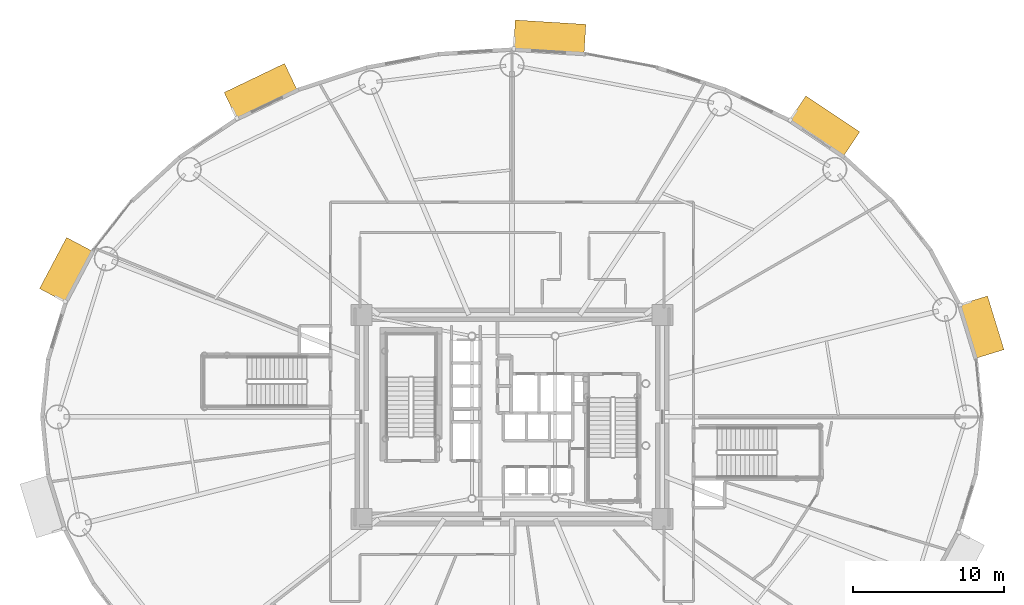
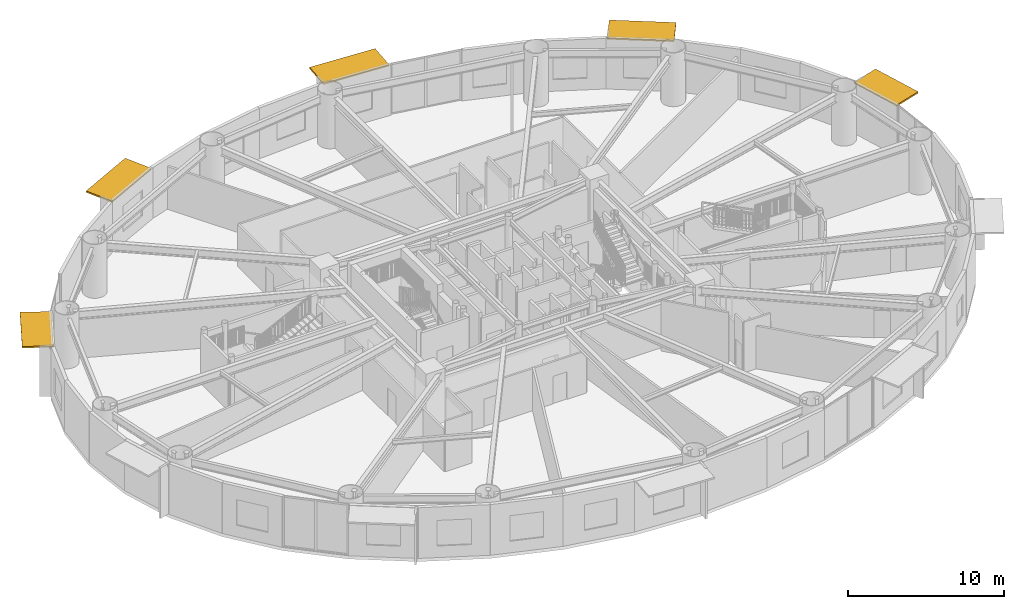
# One storey, part 29 of 29: 5 shading devices.
"""IFC4 building model written with IfcOpenShell, lengths in metres."""

import ifcopenshell
import ifcopenshell.guid

model = None  # the IFC model being written
_history = None  # IfcOwnerHistory: only IFC2X3 demands one
_inside = {}  # id of a spatial element -> (the spatial element, [elements in it])
_under = {}  # id of a project, library or spatial element -> (it, [spatial elements below it])
_declared = {}  # id of a project -> (the project, [libraries it declares])
_typed = {}  # id of a type object -> (the type object, [elements of that type])
_made_of = {}  # id of a material, layer set ... -> (it, [elements and type objects made of it])


def new_model(schema):
    """Start an empty IFC model of exactly this schema.

    Asked for "IFC4X3", IfcOpenShell would pick the latest addendum, in which some entities
    have other attributes; the version numbers below select the first issue.
    IFC2X3 requires an IfcOwnerHistory on every rooted entity: one is made here for all.
    """
    global model, _history
    if schema == "IFC4X3":
        model = ifcopenshell.file(schema_version=(4, 3, 0, 0))
    else:
        model = ifcopenshell.file(schema=schema)
    _inside.clear()
    _under.clear()
    _declared.clear()
    _typed.clear()
    _made_of.clear()
    _history = None
    if model.schema == "IFC2X3":
        org = make("IfcOrganization", Name="unknown")
        user = make(
            "IfcPersonAndOrganization",
            ThePerson=make("IfcPerson", FamilyName="unknown"),
            TheOrganization=org,
        )
        app = make(
            "IfcApplication",
            ApplicationDeveloper=org,
            Version="unknown",
            ApplicationFullName="unknown",
            ApplicationIdentifier="unknown",
        )
        _history = make(
            "IfcOwnerHistory",
            OwningUser=user,
            OwningApplication=app,
            ChangeAction="ADDED",
            CreationDate=0,
        )
    return model


def make(cls, **values):
    """One entity of the class cls with the attributes given. An attribute that is None is left unset."""
    return model.create_entity(
        cls, **{name: value for name, value in values.items() if value is not None}
    )


def rooted(cls, **values):
    """An entity with a GlobalId (a new one), such as an element, a storey or a relation."""
    return make(cls, GlobalId=ifcopenshell.guid.new(), OwnerHistory=_history, **values)


def si_unit(unit_type, name, prefix=None):
    """IfcSIUnit, for example si_unit("LENGTHUNIT", "METRE", prefix="MILLI")."""
    return make("IfcSIUnit", UnitType=unit_type, Prefix=prefix, Name=name)


def assignment(units):
    """IfcUnitAssignment: the units of a project."""
    return None if units is None else make("IfcUnitAssignment", Units=units)


def point(xyz):
    """IfcCartesianPoint."""
    return None if xyz is None else make("IfcCartesianPoint", Coordinates=xyz)


def direction(xyz):
    """IfcDirection."""
    return None if xyz is None else make("IfcDirection", DirectionRatios=xyz)


def frame(location, z_axis=None, x_axis=None):
    """IfcAxis2Placement3D, a coordinate frame: its origin and axes. An axis left out is left unset."""
    return make(
        "IfcAxis2Placement3D",
        Location=point(location),
        Axis=direction(z_axis),
        RefDirection=direction(x_axis),
    )


def frame_2d(location, x_axis=None):
    """IfcAxis2Placement2D, a coordinate frame in the plane: its origin and x axis."""
    return make(
        "IfcAxis2Placement2D", Location=point(location), RefDirection=direction(x_axis)
    )


def origin():
    """The frame at (0, 0, 0) with its axes left unset."""
    return frame((0.0, 0.0, 0.0))


def origin_2d():
    """The frame at (0, 0) in the plane with its x axis left unset."""
    return frame_2d((0.0, 0.0))


def place(relative_to, where):
    """IfcLocalPlacement: puts the frame where relative to a parent placement (None: the world)."""
    return make(
        "IfcLocalPlacement", PlacementRelTo=relative_to, RelativePlacement=where
    )


def context(
    kind, dimensions, precision=None, world=None, true_north=None, identifier=None
):
    """IfcGeometricRepresentationContext, for example the 3D "Model" context."""
    return make(
        "IfcGeometricRepresentationContext",
        ContextIdentifier=identifier,
        ContextType=kind,
        CoordinateSpaceDimension=dimensions,
        Precision=precision,
        WorldCoordinateSystem=world,
        TrueNorth=true_north,
    )


def subcontext(parent, identifier, kind, view, scale=None):
    """IfcGeometricRepresentationSubContext, for example "Body" below "Model"."""
    return make(
        "IfcGeometricRepresentationSubContext",
        ContextIdentifier=identifier,
        ContextType=kind,
        ParentContext=parent,
        TargetScale=scale,
        TargetView=view,
    )


def project(units=None, contexts=None):
    """IfcProject with its units and contexts."""
    return rooted(
        "IfcProject",
        Name="project",
        RepresentationContexts=contexts,
        UnitsInContext=assignment(units),
    )


def spatial(cls, under=None, at=None, **own):
    """A site, building, storey or space (cls), placed at a placement, below another one or the project."""
    s = rooted(cls, ObjectPlacement=at, **own)
    if under is not None:
        _under.setdefault(under.id(), (under, []))[1].append(s)
    return s


def profile(cls, at=None, kind="AREA", **sizes):
    """A parametric profile (cls). Its sizes go by their IFC names, for example OverallWidth=200.0."""
    return make(cls, ProfileType=kind, Position=at, **sizes)


def rectangle(**sizes):
    """IfcRectangleProfileDef."""
    return profile("IfcRectangleProfileDef", **sizes)


def extrude(swept, where, along, depth):
    """IfcExtrudedAreaSolid: the profile swept, set in the frame where, extruded along a direction by depth."""
    return make(
        "IfcExtrudedAreaSolid",
        SweptArea=swept,
        Position=where,
        ExtrudedDirection=direction(along),
        Depth=depth,
    )


def shape(context_of_items, identifier, shape_type, items):
    """IfcShapeRepresentation: the items that make up one representation, for example the "Body"."""
    return make(
        "IfcShapeRepresentation",
        ContextOfItems=context_of_items,
        RepresentationIdentifier=identifier,
        RepresentationType=shape_type,
        Items=items,
    )


def source(mapping_origin, context_of_items, identifier, shape_type, items):
    """IfcRepresentationMap: a shape defined once, which mapped items show again and again."""
    return make(
        "IfcRepresentationMap",
        MappingOrigin=mapping_origin,
        MappedRepresentation=shape(context_of_items, identifier, shape_type, items),
    )


def transform(
    local_origin,
    x_axis=None,
    y_axis=None,
    z_axis=None,
    scale=None,
    scale2=None,
    scale3=None,
    uniform=True,
):
    """IfcCartesianTransformationOperator3D, or its non-uniform kind. x_axis, y_axis, z_axis: its Axis1, 2, 3."""
    if uniform:
        return make(
            "IfcCartesianTransformationOperator3D",
            Axis1=direction(x_axis),
            Axis2=direction(y_axis),
            LocalOrigin=point(local_origin),
            Scale=scale,
            Axis3=direction(z_axis),
        )
    return make(
        "IfcCartesianTransformationOperator3DnonUniform",
        Axis1=direction(x_axis),
        Axis2=direction(y_axis),
        LocalOrigin=point(local_origin),
        Scale=scale,
        Axis3=direction(z_axis),
        Scale2=scale2,
        Scale3=scale3,
    )


def mapped(mapping_source, mapping_target):
    """IfcMappedItem: shows the shape of a source again, moved by a transform."""
    return make(
        "IfcMappedItem", MappingSource=mapping_source, MappingTarget=mapping_target
    )


def material(Name=None, Category=None):
    """IfcMaterial."""
    return make("IfcMaterial", Name=Name, Category=Category)


def layer(
    of_material, thickness, ventilated=None, Name=None, Category=None, Priority=None
):
    """IfcMaterialLayer: one layer of a wall or slab, of a material (None: an air gap)."""
    return make(
        "IfcMaterialLayer",
        Material=of_material,
        LayerThickness=thickness,
        IsVentilated=ventilated,
        Name=Name,
        Category=Category,
        Priority=Priority,
    )


def layer_set(layers, Name=None):
    """IfcMaterialLayerSet."""
    return make("IfcMaterialLayerSet", MaterialLayers=layers, LayerSetName=Name)


def made_of(thing, what):
    """Note that an element or type object is made of a material, layer set ...; save() writes the relation."""
    if what is not None:
        _made_of.setdefault(what.id(), (what, []))[1].append(thing)
    return thing


def type_object(cls, material=None, **own):
    """A type object (cls), such as IfcWallType, which elements share."""
    return made_of(rooted(cls, **own), material)


def element(
    cls,
    number,
    at=None,
    inside=None,
    cuts=None,
    type_object=None,
    material=None,
    context=None,
    identifier="Body",
    shape_type=None,
    held_by="IfcProductDefinitionShape",
    body=None,
    shapes=None,
    **own,
):
    """One element of the class cls, such as IfcWall. Its Tag is "e" and its number.

    at: its placement. inside: the storey or other place that contains it. cuts: it is an
    opening in that element (IfcRelVoidsElement). A single representation is given by context,
    identifier, shape_type and body (its items); several are given by shapes. held_by: the class
    of the entity that holds the representations. save() writes the other relations.
    """
    e = rooted(cls, Tag="e%d" % number, ObjectPlacement=at, **own)
    if body is not None:
        shapes = [shape(context, identifier, shape_type, body)]
    if shapes is not None:
        e.Representation = make(held_by, Representations=shapes)
    if inside is not None:
        _inside.setdefault(inside.id(), (inside, []))[1].append(e)
    if cuts is not None:
        rooted(
            "IfcRelVoidsElement", RelatingBuildingElement=cuts, RelatedOpeningElement=e
        )
    if type_object is not None:
        _typed.setdefault(type_object.id(), (type_object, []))[1].append(e)
    return made_of(e, material)


def aggregate(whole, parts):
    """IfcRelAggregates: a whole, such as a stair, and the parts it consists of."""
    return rooted("IfcRelAggregates", RelatingObject=whole, RelatedObjects=parts)


def save(model, path):
    """Write the relations noted so far, then the file.

    IfcRelAggregates (storeys below a building ...), IfcRelContainedInSpatialStructure (elements
    in a storey), IfcRelDefinesByType, IfcRelAssociatesMaterial and IfcRelDeclares: one each for
    every whole, place, type object, material and project.
    """
    for whole, parts in _under.values():
        aggregate(whole, parts)
    for where, things in _inside.values():
        rooted(
            "IfcRelContainedInSpatialStructure",
            RelatedElements=things,
            RelatingStructure=where,
        )
    for kind, things in _typed.values():
        rooted("IfcRelDefinesByType", RelatedObjects=things, RelatingType=kind)
    for what, things in _made_of.values():
        rooted("IfcRelAssociatesMaterial", RelatedObjects=things, RelatingMaterial=what)
    for by, libraries in _declared.values():
        rooted("IfcRelDeclares", RelatingContext=by, RelatedDefinitions=libraries)
    model.write(path)


model = new_model("IFC4")

# Units and contexts
model_context = context("Model", 3, precision=1e-05, world=origin(), true_north=direction((0.0, 1.0)))
body_context = subcontext(model_context, "Body", "Model", "MODEL_VIEW")
ifc_project = project(units=[si_unit("LENGTHUNIT", "METRE"), si_unit("AREAUNIT", "SQUARE_METRE"), si_unit("VOLUMEUNIT", "CUBIC_METRE"), si_unit("PLANEANGLEUNIT", "RADIAN"), si_unit("MASSUNIT", "GRAM", prefix="KILO")], contexts=[model_context])

# Site, building, storey
site_placement = place(None, origin())
site = spatial("IfcSite", under=ifc_project, at=site_placement, CompositionType="ELEMENT")
building_placement = place(site_placement, origin())
building = spatial("IfcBuilding", under=site, at=building_placement, Name="Linh Dai School and Residence Tower", CompositionType="ELEMENT")
storey_placement = place(building_placement, frame((0.0, 0.0, 45.0)))
storey = spatial("IfcBuildingStorey", under=building, at=storey_placement, Name="L10", CompositionType="ELEMENT", Elevation=45.0)

# Shading devices
ifc_material = material(Name="Terracotta Ceramic Sunshade", Category="masonry")
ifc_layer = layer(ifc_material, 0.1201171875)
ifc_layer_set = layer_set([ifc_layer], Name="Terracotta Ceramic Sunshade")
shading_device_type = type_object("IfcShadingDeviceType", Name="SHD-TC-2000", PredefinedType="USERDEFINED", material=ifc_layer_set)
shared_shape_1 = source(origin(), body_context, "Body", "SweptSolid", [
    extrude(rectangle(XDim=3.7197265625, YDim=2.0, at=origin_2d()), origin(), (0.0, 0.0, 1.0), 0.1201171875),
])
shading_device_1_placement = place(storey_placement, frame((67.043212890625, 32.9306640625, 3.81005859375), z_axis=(0.0, 0.0, 1.0), x_axis=(0.293145733514, -0.956067769001, 0.0)))
element("IfcShadingDevice", 1, at=shading_device_1_placement, inside=storey, type_object=shading_device_type, Name="L10 Terracotta Horizontal Sunshade Band 02", ObjectType="SUNSHADE", PredefinedType="USERDEFINED", context=body_context, shape_type="MappedRepresentation", body=[
    mapped(shared_shape_1, transform((0.0, 0.0, 0.0), x_axis=(1.0, 0.0, 0.0), y_axis=(0.0, 1.0, 0.0), z_axis=(0.0, 0.0, 1.0), scale=1.0)),
])
shared_shape_2 = source(origin(), body_context, "Body", "SweptSolid", [
    extrude(rectangle(XDim=4.28173828125, YDim=2.0, at=origin_2d()), origin(), (0.0, 0.0, 1.0), 0.1201171875),
])
shading_device_2_placement = place(storey_placement, frame((56.66455078125, 46.2138671875, 3.81005859375), z_axis=(0.0, 0.0, 1.0), x_axis=(0.831250578927, -0.555897899828, 0.0)))
element("IfcShadingDevice", 2, at=shading_device_2_placement, inside=storey, type_object=shading_device_type, Name="L10 Terracotta Horizontal Sunshade Band 06", ObjectType="SUNSHADE", PredefinedType="USERDEFINED", context=body_context, shape_type="MappedRepresentation", body=[
    mapped(shared_shape_2, transform((0.0, 0.0, 0.0), x_axis=(1.0, 0.0, 0.0), y_axis=(0.0, 1.0, 0.0), z_axis=(0.0, 0.0, 1.0), scale=1.0)),
])
shared_shape_3 = source(origin(), body_context, "Body", "SweptSolid", [
    extrude(rectangle(XDim=4.6796875, YDim=2.0, at=origin_2d()), origin(), (0.0, 0.0, 1.0), 0.1201171875),
])
shading_device_3_placement = place(storey_placement, frame((38.49169921875, 52.11328125, 3.81005859375), z_axis=(0.0, 0.0, 1.0), x_axis=(0.998106677027, -0.061506595367, 0.0)))
element("IfcShadingDevice", 3, at=shading_device_3_placement, inside=storey, type_object=shading_device_type, Name="L10 Terracotta Horizontal Sunshade Band 10", ObjectType="SUNSHADE", PredefinedType="USERDEFINED", context=body_context, shape_type="MappedRepresentation", body=[
    mapped(shared_shape_3, transform((0.0, 0.0, 0.0), x_axis=(1.0, 0.0, 0.0), y_axis=(0.0, 1.0, 0.0), z_axis=(0.0, 0.0, 1.0), scale=1.0)),
])
shared_shape_4 = source(origin(), body_context, "Body", "SweptSolid", [
    extrude(rectangle(XDim=4.428466796875, YDim=2.0, at=origin_2d()), origin(), (0.0, 0.0, 1.0), 0.1201171875),
])
shading_device_4_placement = place(storey_placement, frame((19.386962890625, 48.51904296875, 3.81005859375), z_axis=(0.0, 0.0, 1.0), x_axis=(0.901584514626, 0.432603008528, 0.0)))
element("IfcShadingDevice", 4, at=shading_device_4_placement, inside=storey, type_object=shading_device_type, Name="L10 Terracotta Horizontal Sunshade Band 14", ObjectType="SUNSHADE", PredefinedType="USERDEFINED", context=body_context, shape_type="MappedRepresentation", body=[
    mapped(shared_shape_4, transform((0.0, 0.0, 0.0), x_axis=(1.0, 0.0, 0.0), y_axis=(0.0, 1.0, 0.0), z_axis=(0.0, 0.0, 1.0), scale=1.0)),
])
shared_shape_5 = source(origin(), body_context, "Body", "SweptSolid", [
    extrude(rectangle(XDim=3.824462890625, YDim=2.0, at=origin_2d()), origin(), (0.0, 0.0, 1.0), 0.1201171875),
])
shading_device_5_placement = place(storey_placement, frame((6.525390625, 36.7109375, 3.81005859375), z_axis=(0.0, 0.0, 1.0), x_axis=(0.467611940042, 0.883933862645, 0.0)))
element("IfcShadingDevice", 5, at=shading_device_5_placement, inside=storey, type_object=shading_device_type, Name="L10 Terracotta Horizontal Sunshade Band 18", ObjectType="SUNSHADE", PredefinedType="USERDEFINED", context=body_context, shape_type="MappedRepresentation", body=[
    mapped(shared_shape_5, transform((0.0, 0.0, 0.0), x_axis=(1.0, 0.0, 0.0), y_axis=(0.0, 1.0, 0.0), z_axis=(0.0, 0.0, 1.0), scale=1.0)),
])

save(model, "model.ifc")
